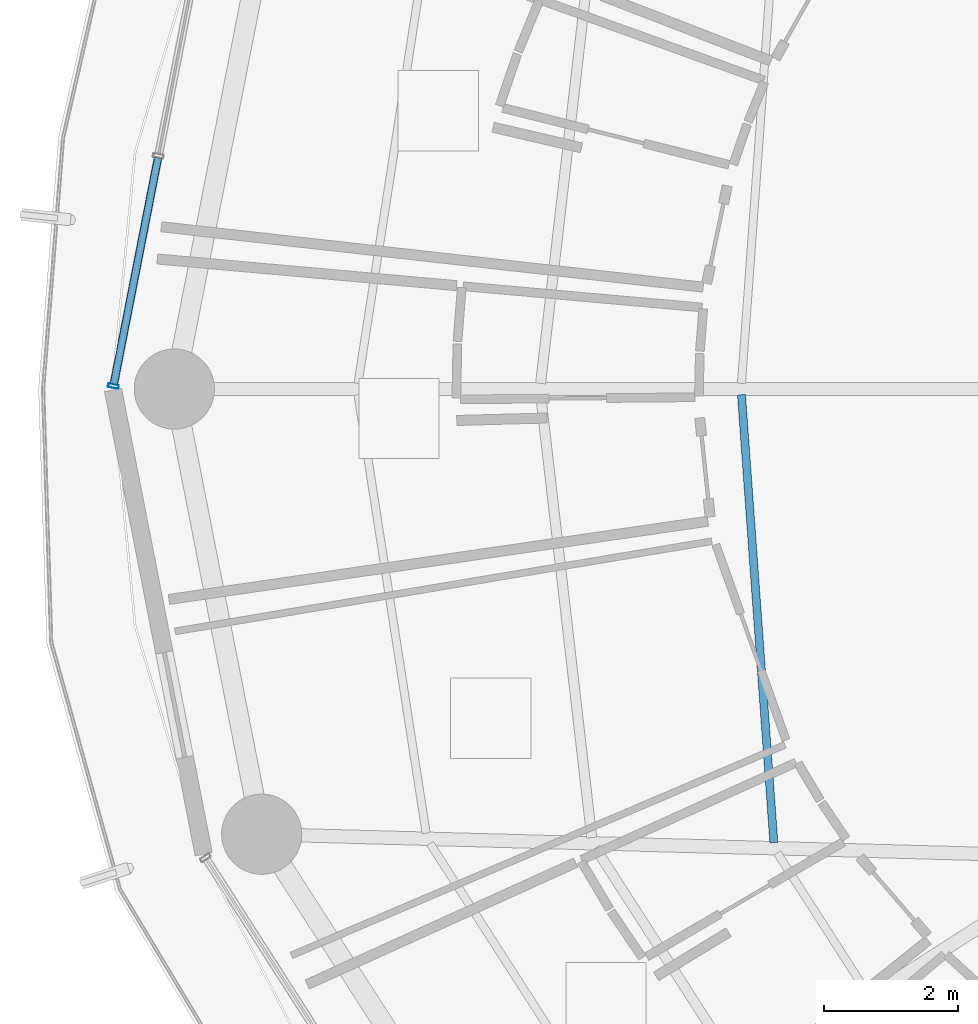
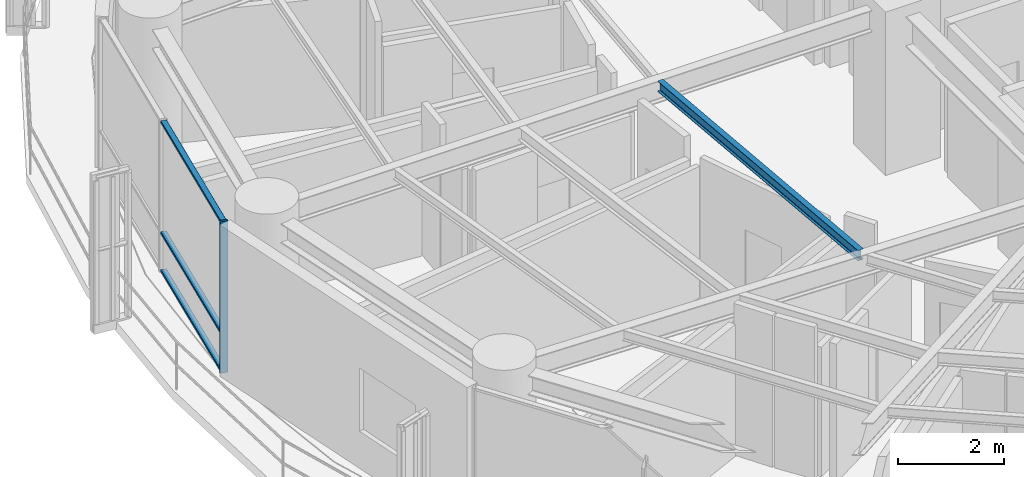
# One storey, part 6 of 28: 4 members, 1 beam, 1 element without a shape of its own.
"""IFC4 building model written with IfcOpenShell, lengths in metres."""

from ifc_helpers import new_model, si_unit, direction, frame, origin, origin_2d, place, context, subcontext, project, spatial, hollow_rectangle, i_section, extrude, material, layer, layer_set, material_profile, profile_set, type_object, element, aggregate, save


model = new_model("IFC4")

# Units and contexts
model_context = context("Model", 3, precision=1e-05, world=origin(), true_north=direction((0.0, 1.0)))
body_context = subcontext(model_context, "Body", "Model", "MODEL_VIEW")
ifc_project = project(units=[si_unit("LENGTHUNIT", "METRE"), si_unit("AREAUNIT", "SQUARE_METRE"), si_unit("VOLUMEUNIT", "CUBIC_METRE"), si_unit("PLANEANGLEUNIT", "RADIAN"), si_unit("MASSUNIT", "GRAM", prefix="KILO")], contexts=[model_context])

# Site, building, storey
site_placement = place(None, origin())
site = spatial("IfcSite", under=ifc_project, at=site_placement, CompositionType="ELEMENT")
building_placement = place(site_placement, origin())
building = spatial("IfcBuilding", under=site, at=building_placement, Name="Kelanora Arch Commons", CompositionType="ELEMENT")
storey_placement = place(building_placement, frame((0.0, 0.0, 176.85009765625)))
storey = spatial("IfcBuildingStorey", under=building, at=storey_placement, Name="L45", CompositionType="ELEMENT", Elevation=176.85009765625)

# Beam
ifc_material_1 = material(Name="Steel S355", Category="steel")
ifc_material_profile_1 = material_profile(ifc_material_1, i_section(OverallWidth=0.1201171875, OverallDepth=0.239990234375, WebThickness=0.006103515625, FlangeThickness=0.009765625, FilletRadius=0.014892578125, at=origin_2d()), Name="IPE240")
ifc_profile_set_1 = profile_set([ifc_material_profile_1], Name="Steel S355")
beam_type = type_object("IfcBeamType", Name="BM-JST-02", PredefinedType="JOIST", material=ifc_profile_set_1)
beam_placement = place(storey_placement, frame((60.8076171875, 57.915283203125, 3.369873046875), z_axis=(0.072117123738, -0.997396170267, 0.0), x_axis=(0.997396170267, 0.072117123738, 0.0)))
element("IfcBeam", 1, at=beam_placement, inside=storey, type_object=beam_type, Name="Secondary Chord Joist BJA-18 L45", PredefinedType="JOIST", context=body_context, shape_type="SweptSolid", body=[
    extrude(i_section(OverallWidth=0.1201171875, OverallDepth=0.239990234375, WebThickness=0.006103515625, FlangeThickness=0.009765625, FilletRadius=0.014892578125, at=origin_2d()), origin(), (0.0, 0.0, 1.0), 6.719970703125),
])

# Curtain wall, members
ifc_material_2 = material(Name="Terracotta ceramic-fritted low-E glass and aluminium", Category="masonry")
ifc_layer = layer(ifc_material_2, 0.175048828125)
ifc_layer_set = layer_set([ifc_layer], Name="Terracotta ceramic-fritted low-E glass and aluminium")
curtain_wall_type = type_object("IfcCurtainWallType", Name="CW-SYS-02", PredefinedType="NOTDEFINED", material=ifc_layer_set)
curtain_wall_placement = place(storey_placement, origin())
curtain_wall = element("IfcCurtainWall", 2, at=curtain_wall_placement, inside=storey, type_object=curtain_wall_type, Name="Unitised Curtain Wall L45-B08", PredefinedType="NOTDEFINED")
ifc_material_3 = material(Name="Powder-coated aluminium terracotta", Category="masonry")
ifc_material_profile_2 = material_profile(ifc_material_3, hollow_rectangle(XDim=0.159912109375, YDim=0.06005859375, WallThickness=0.0048828125, InnerFilletRadius=0.0048828125, OuterFilletRadius=0.010009765625, at=origin_2d()), Name="CWM160x60")
ifc_profile_set_2 = profile_set([ifc_material_profile_2], Name="Powder-coated aluminium terracotta")
member_type_1 = type_object("IfcMemberType", Name="CWM-STD", PredefinedType="MULLION", material=ifc_profile_set_2)
member_1_placement = place(storey_placement, frame((51.40869140625, 58.044189453125, 0.0), z_axis=(0.0, 0.0, 1.0), x_axis=(0.981452557718, -0.191705182375, 0.0)))
member_1 = element("IfcMember", 3, at=member_1_placement, type_object=member_type_1, Name="CW-02 mullion 3", PredefinedType="MULLION", context=body_context, shape_type="SweptSolid", body=[
    extrude(hollow_rectangle(XDim=0.159912109375, YDim=0.06005859375, WallThickness=0.0048828125, InnerFilletRadius=0.0048828125, OuterFilletRadius=0.010009765625, at=origin_2d()), origin(), (0.0, 0.0, 1.0), 3.474853515625),
])
ifc_material_profile_3 = material_profile(ifc_material_3, hollow_rectangle(XDim=0.1201171875, YDim=0.06005859375, WallThickness=0.0048828125, InnerFilletRadius=0.0048828125, OuterFilletRadius=0.010009765625, at=origin_2d()), Name="CWT120x60")
ifc_profile_set_3 = profile_set([ifc_material_profile_3], Name="Powder-coated aluminium terracotta")
member_type_2 = type_object("IfcMemberType", Name="CWT-STD", PredefinedType="USERDEFINED", material=ifc_profile_set_3)
member_2_placement = place(storey_placement, frame((52.07568359375, 61.459228515625, 0.02978515625), z_axis=(-0.191718206447, -0.981450013662, 0.0), x_axis=(0.981450013662, -0.191718206447, 0.0)))
member_2 = element("IfcMember", 4, at=member_2_placement, type_object=member_type_2, Name="CW-02 transom 2.1", ObjectType="TRANSOM", PredefinedType="USERDEFINED", context=body_context, shape_type="SweptSolid", body=[
    extrude(hollow_rectangle(XDim=0.1201171875, YDim=0.06005859375, WallThickness=0.0048828125, InnerFilletRadius=0.0048828125, OuterFilletRadius=0.010009765625, at=origin_2d()), origin(), (0.0, 0.0, 1.0), 3.44970703125),
])
member_3_placement = place(storey_placement, frame((52.07568359375, 61.459228515625, 0.89990234375), z_axis=(-0.191718206447, -0.981450013662, 0.0), x_axis=(0.981450013662, -0.191718206447, 0.0)))
member_3 = element("IfcMember", 5, at=member_3_placement, type_object=member_type_2, Name="CW-02 transom 2.2", ObjectType="TRANSOM", PredefinedType="USERDEFINED", context=body_context, shape_type="SweptSolid", body=[
    extrude(hollow_rectangle(XDim=0.1201171875, YDim=0.06005859375, WallThickness=0.0048828125, InnerFilletRadius=0.0048828125, OuterFilletRadius=0.010009765625, at=origin_2d()), origin(), (0.0, 0.0, 1.0), 3.44970703125),
])
member_4_placement = place(storey_placement, frame((52.07568359375, 61.459228515625, 3.44482421875), z_axis=(-0.191718206447, -0.981450013662, 0.0), x_axis=(0.981450013662, -0.191718206447, 0.0)))
member_4 = element("IfcMember", 6, at=member_4_placement, type_object=member_type_2, Name="CW-02 transom 2.3", ObjectType="TRANSOM", PredefinedType="USERDEFINED", context=body_context, shape_type="SweptSolid", body=[
    extrude(hollow_rectangle(XDim=0.1201171875, YDim=0.06005859375, WallThickness=0.0048828125, InnerFilletRadius=0.0048828125, OuterFilletRadius=0.010009765625, at=origin_2d()), origin(), (0.0, 0.0, 1.0), 3.44970703125),
])
aggregate(curtain_wall, [member_1, member_2, member_3, member_4])

save(model, "model.ifc")
